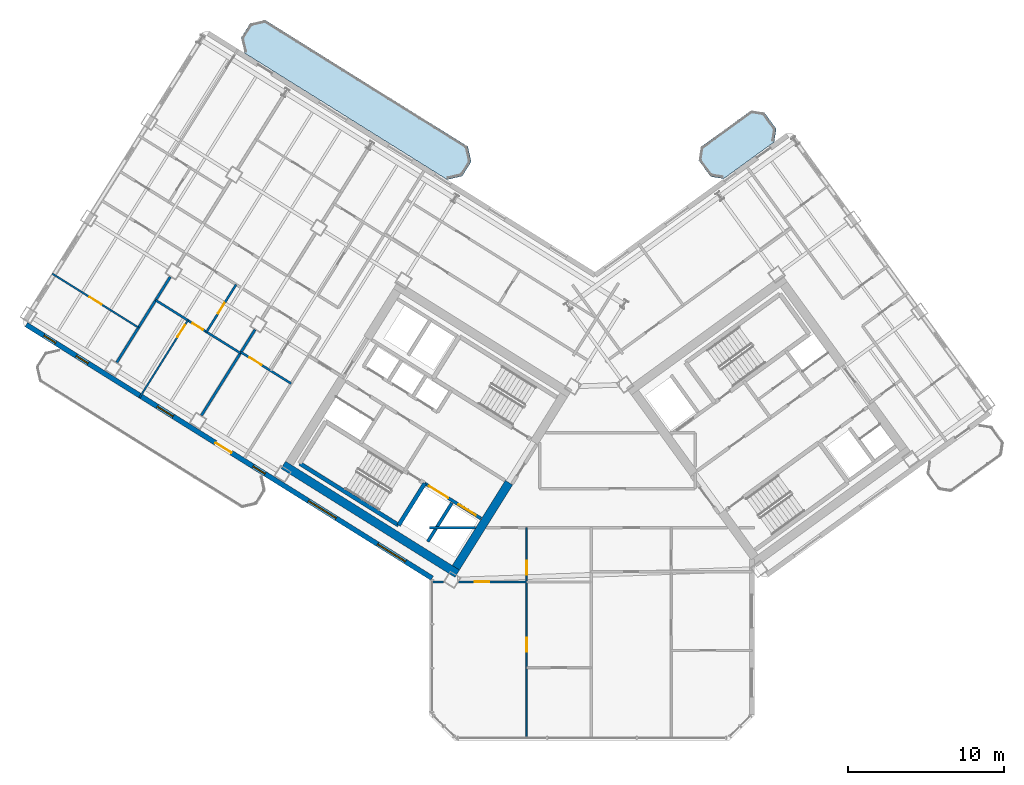
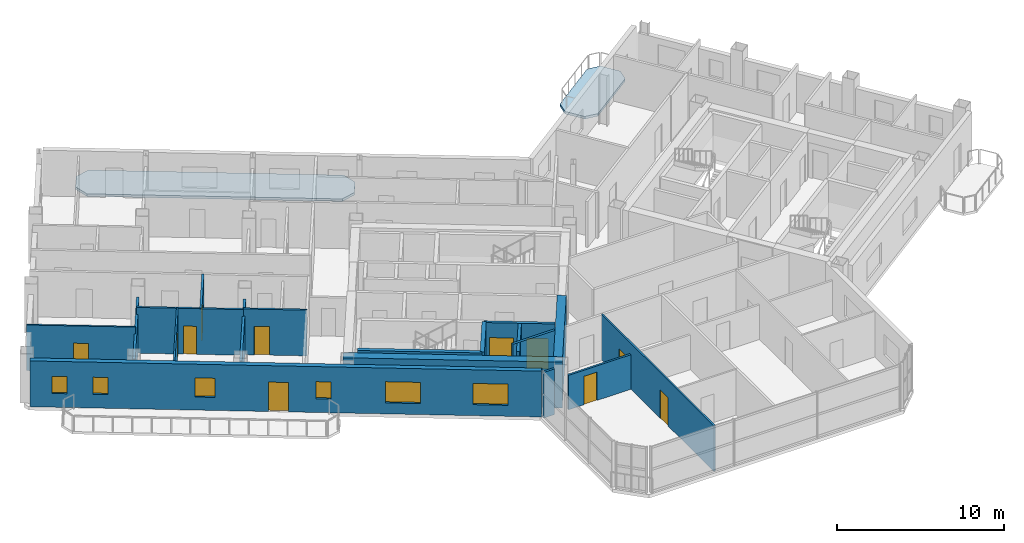
# One storey, part 11 of 20: 18 walls, 11 doors, 6 windows, 2 slabs, 17 openings.
"""IFC4 building model written with IfcOpenShell, lengths in metres."""

from ifc_helpers import new_model, si_unit, direction, frame, frame_2d, origin, place, context, subcontext, project, spatial, polyline, rectangle, outline, extrude, source, transform, mapped, material, layer, layer_set, type_object, element, fill, save


model = new_model("IFC4")

# Units and contexts
model_context = context("Model", 3, precision=1e-05, world=origin(), true_north=direction((0.0, 1.0)))
body_context = subcontext(model_context, "Body", "Model", "MODEL_VIEW")
ifc_project = project(units=[si_unit("LENGTHUNIT", "METRE"), si_unit("AREAUNIT", "SQUARE_METRE"), si_unit("VOLUMEUNIT", "CUBIC_METRE"), si_unit("PLANEANGLEUNIT", "RADIAN"), si_unit("MASSUNIT", "GRAM", prefix="KILO")], contexts=[model_context])

# Site, building, storey
site_placement = place(None, origin())
site = spatial("IfcSite", under=ifc_project, at=site_placement, CompositionType="ELEMENT")
building_placement = place(site_placement, origin())
building = spatial("IfcBuilding", under=site, at=building_placement, Name="Tlacorven Tower", CompositionType="ELEMENT")
storey_placement = place(building_placement, frame((0.0, 0.0, 187.800048828125)))
storey = spatial("IfcBuildingStorey", under=building, at=storey_placement, Name="L47", CompositionType="ELEMENT", Elevation=187.800048828125)

# Slabs
ifc_material_1 = material(Name="Precast concrete C45/55", Category="concrete")
ifc_layer_1 = layer(ifc_material_1, 0.179931640625)
ifc_layer_set_1 = layer_set([ifc_layer_1], Name="Precast concrete C45/55")
slab_type = type_object("IfcSlabType", Name="SL-BAL-180", PredefinedType="USERDEFINED", material=ifc_layer_set_1)
slab_1_placement = place(storey_placement, frame((0.0, 0.0, -0.179931640625)))
element("IfcSlab", 1, at=slab_1_placement, inside=storey, type_object=slab_type, Name="L47 West Wing Balcony Ribbon IN", ObjectType="BALCONY SLAB", PredefinedType="USERDEFINED", context=body_context, shape_type="SweptSolid", body=[
    extrude(outline(polyline([(34.0419921875, 39.835693359375), (21.06689453125, 47.943359375), (20.102294921875, 47.720703125), (19.52197265625, 46.7919921875), (19.744873046875, 45.827392578125), (32.719970703125, 37.7197265625), (33.6845703125, 37.9423828125), (34.2646484375, 38.87109375), (34.0419921875, 39.835693359375)])), origin(), (0.0, 0.0, 1.0), 0.179931640625),
])
slab_2_placement = place(storey_placement, frame((0.0, 0.0, -0.179931640625)))
element("IfcSlab", 2, at=slab_2_placement, inside=storey, type_object=slab_type, Name="L47 East Wing Balcony Ribbon IN", ObjectType="BALCONY SLAB", PredefinedType="USERDEFINED", context=body_context, shape_type="SweptSolid", body=[
    extrude(outline(polyline([(50.433837890625, 37.77880859375), (53.669921875, 40.1298828125), (53.802490234375, 40.968017578125), (53.04150390625, 42.015625), (52.203369140625, 42.1484375), (48.96728515625, 39.79736328125), (48.83447265625, 38.959228515625), (49.595703125, 37.91162109375), (50.433837890625, 37.77880859375)])), origin(), (0.0, 0.0, 1.0), 0.179931640625),
])

# Walls
ifc_material_2 = material(Name="Concrete C60/75", Category="concrete")
ifc_layer_2 = layer(ifc_material_2, 0.550048828125)
ifc_layer_set_2 = layer_set([ifc_layer_2], Name="Concrete C60/75")
wall_type_1 = type_object("IfcWallType", Name="WL-COR-550", PredefinedType="SHEAR", material=ifc_layer_set_2)
wall_1_placement = place(storey_placement, frame((33.3662109375, 12.4765625, 0.0), z_axis=(0.0, 0.0, 1.0), x_axis=(-0.848047359947, 0.529920442413, 0.0)))
element("IfcWall", 3, at=wall_1_placement, inside=storey, type_object=wall_type_1, Name="L47 W core shear wall S2", PredefinedType="SHEAR", context=body_context, shape_type="SweptSolid", body=[
    extrude(rectangle(XDim=13.139892578125, YDim=0.550048828125, at=frame_2d((6.56982421875, 0.0))), origin(), (0.0, 0.0, 1.0), 3.349853515625),
])
wall_2_placement = place(storey_placement, frame((36.683349609375, 18.30419921875, 0.0), z_axis=(0.0, 0.0, 1.0), x_axis=(-0.529896466841, -0.848062341122, 0.0)))
element("IfcWall", 4, at=wall_2_placement, inside=storey, type_object=wall_type_1, Name="L47 W core end wall E1.2", PredefinedType="SHEAR", context=body_context, shape_type="SweptSolid", body=[
    extrude(rectangle(XDim=6.4248046875, YDim=0.550048828125, at=frame_2d((3.21240234375, 0.0))), origin(), (0.0, 0.0, 1.0), 3.349853515625),
])
ifc_material_3 = material(Name="Gypsum plasterboard acoustic partition", Category="gypsum")
ifc_layer_3 = layer(ifc_material_3, 0.159912109375)
ifc_layer_set_3 = layer_set([ifc_layer_3], Name="Gypsum plasterboard acoustic partition")
wall_type_2 = type_object("IfcWallType", Name="WL-DEM-160", PredefinedType="PARTITIONING", material=ifc_layer_set_3)
wall_3_placement = place(storey_placement, frame((20.413818359375, 28.102783203125, 0.0), z_axis=(0.0, 0.0, 1.0), x_axis=(-0.529934553702, -0.848038542045, 0.0)))
element("IfcWall", 5, at=wall_3_placement, inside=storey, type_object=wall_type_2, Name="L47 WN Demising Wall 1", PredefinedType="PARTITIONING", context=body_context, shape_type="SweptSolid", body=[
    extrude(rectangle(XDim=6.47607421875, YDim=0.159912109375, at=frame_2d((3.238037109375, 0.0))), origin(), (0.0, 0.0, 1.0), 2.824951171875),
])
wall_4_placement = place(storey_placement, frame((14.986083984375, 31.494140625, 0.0), z_axis=(0.0, 0.0, 1.0), x_axis=(-0.529907440938, -0.848055484057, 0.0)))
element("IfcWall", 6, at=wall_4_placement, inside=storey, type_object=wall_type_2, Name="L47 WN Demising Wall 2", PredefinedType="PARTITIONING", context=body_context, shape_type="SweptSolid", body=[
    extrude(rectangle(XDim=6.475830078125, YDim=0.159912109375, at=frame_2d((3.23779296875, 0.0))), origin(), (0.0, 0.0, 1.0), 2.824951171875),
])
wall_5_placement = place(storey_placement, frame((31.60009765625, 15.419921875, 0.0), z_axis=(0.0, 0.0, 1.0), x_axis=(1.0, 0.0, 0.0)))
element("IfcWall", 7, at=wall_5_placement, inside=storey, type_object=wall_type_2, Name="L47 Knuckle Corridor South Wall", PredefinedType="PARTITIONING", context=body_context, shape_type="SweptSolid", body=[
    extrude(rectangle(XDim=2.925048828125, YDim=0.159912109375, at=frame_2d((1.46240234375, 0.0))), origin(), (0.0, 0.0, 1.0), 3.33984375),
])

# Wall, openings, door, windows
ifc_layer_4 = layer(ifc_material_1, 0.320068359375)
ifc_layer_set_4 = layer_set([ifc_layer_4], Name="Precast concrete C45/55")
wall_type_3 = type_object("IfcWallType", Name="WL-EXT-320", PredefinedType="STANDARD", material=ifc_layer_set_4)
wall_6_placement = place(storey_placement, frame((31.760009765625, 12.18310546875, 0.0), z_axis=(0.0, 0.0, 1.0), x_axis=(-0.848047074256, 0.529920899612, 0.0)))
wall_6 = element("IfcWall", 8, at=wall_6_placement, inside=storey, type_object=wall_type_3, Name="L47 Masonry-Frame Recessed Facade Wall 1", PredefinedType="STANDARD", context=body_context, shape_type="SweptSolid", body=[
    extrude(rectangle(XDim=30.652099609375, YDim=0.320068359375, at=frame_2d((15.326171875, 0.0))), origin(), (0.0, 0.0, 1.0), 3.349853515625),
])
opening_1_placement = place(wall_6_placement, frame((15.165771484375, 0.0, 0.0)))
opening_1 = element("IfcOpeningElement", 9, at=opening_1_placement, cuts=wall_6, Name="Opening D05", PredefinedType="OPENING", context=body_context, shape_type="SweptSolid", body=[
    extrude(rectangle(XDim=1.199951171875, YDim=2.14990234375, at=frame_2d((0.60009765625, 1.074951171875))), frame((0.0, 0.169921875, 0.0), z_axis=(0.0, -1.0, 0.0), x_axis=(1.0, 0.0, 0.0)), (0.0, 0.0, 1.0), 0.340087890625),
])
opening_2_placement = place(wall_6_placement, frame((2.0146484375, 0.0, 0.800048828125)))
opening_2 = element("IfcOpeningElement", 10, at=opening_2_placement, cuts=wall_6, Name="Opening WN04", PredefinedType="OPENING", context=body_context, shape_type="SweptSolid", body=[
    extrude(rectangle(XDim=2.10009765625, YDim=1.550048828125, at=frame_2d((1.050048828125, 0.77490234375))), frame((0.0, 0.169921875, 0.0), z_axis=(0.0, -1.0, 0.0), x_axis=(1.0, 0.0, 0.0)), (0.0, 0.0, 1.0), 0.340087890625),
])
opening_3_placement = place(wall_6_placement, frame((7.243896484375, 0.0, 0.800048828125)))
opening_3 = element("IfcOpeningElement", 11, at=opening_3_placement, cuts=wall_6, Name="Opening WN04", PredefinedType="OPENING", context=body_context, shape_type="SweptSolid", body=[
    extrude(rectangle(XDim=2.10009765625, YDim=1.550048828125, at=frame_2d((1.050048828125, 0.77490234375))), frame((0.0, 0.169921875, 0.0), z_axis=(0.0, -1.0, 0.0), x_axis=(1.0, 0.0, 0.0)), (0.0, 0.0, 1.0), 0.340087890625),
])
opening_4_placement = place(wall_6_placement, frame((12.623291015625, 0.0, 1.0)))
opening_4 = element("IfcOpeningElement", 12, at=opening_4_placement, cuts=wall_6, Name="Opening WN05", PredefinedType="OPENING", context=body_context, shape_type="SweptSolid", body=[
    extrude(rectangle(XDim=0.89990234375, YDim=1.25, at=frame_2d((0.449951171875, 0.625))), frame((0.0, 0.169921875, 0.0), z_axis=(0.0, -1.0, 0.0), x_axis=(1.0, 0.0, 0.0)), (0.0, 0.0, 1.0), 0.340087890625),
])
opening_5_placement = place(wall_6_placement, frame((19.564697265625, 0.0, 0.949951171875)))
opening_5 = element("IfcOpeningElement", 13, at=opening_5_placement, cuts=wall_6, Name="Opening WN03", PredefinedType="OPENING", context=body_context, shape_type="SweptSolid", body=[
    extrude(rectangle(XDim=1.199951171875, YDim=1.39990234375, at=frame_2d((0.60009765625, 0.699951171875))), frame((0.0, 0.169921875, 0.0), z_axis=(0.0, -1.0, 0.0), x_axis=(1.0, 0.0, 0.0)), (0.0, 0.0, 1.0), 0.340087890625),
])
opening_6_placement = place(wall_6_placement, frame((25.9833984375, 0.0, 1.0)))
opening_6 = element("IfcOpeningElement", 14, at=opening_6_placement, cuts=wall_6, Name="Opening WN05", PredefinedType="OPENING", context=body_context, shape_type="SweptSolid", body=[
    extrude(rectangle(XDim=0.89990234375, YDim=1.25, at=frame_2d((0.449951171875, 0.625))), frame((0.0, 0.169921875, 0.0), z_axis=(0.0, -1.0, 0.0), x_axis=(1.0, 0.0, 0.0)), (0.0, 0.0, 1.0), 0.340087890625),
])
opening_7_placement = place(wall_6_placement, frame((28.433349609375, 0.0, 1.0)))
opening_7 = element("IfcOpeningElement", 15, at=opening_7_placement, cuts=wall_6, Name="Opening WN05", PredefinedType="OPENING", context=body_context, shape_type="SweptSolid", body=[
    extrude(rectangle(XDim=0.89990234375, YDim=1.25, at=frame_2d((0.449951171875, 0.625))), frame((0.0, 0.169921875, 0.0), z_axis=(0.0, -1.0, 0.0), x_axis=(1.0, 0.0, 0.0)), (0.0, 0.0, 1.0), 0.340087890625),
])
ifc_material_4 = material(Name="Powder-coated aluminium and timber door", Category="wood")
door_type_1 = type_object("IfcDoorType", Name="DR-EXT-BALC-1200", OperationType="NOTDEFINED", PredefinedType="DOOR", material=ifc_material_4)
shared_shape_1 = source(origin(), body_context, "Body", "SweptSolid", [
    extrude(rectangle(XDim=1.199951171875, YDim=2.14990234375, at=frame_2d((0.60009765625, 1.074951171875))), frame((0.0, 0.02490234375, 0.0), z_axis=(0.0, -1.0, 0.0), x_axis=(1.0, 0.0, 0.0)), (0.0, 0.0, 1.0), 0.050048828125),
])
door_1_placement = place(opening_1_placement, origin())
door_1 = element("IfcDoor", 16, at=door_1_placement, inside=storey, type_object=door_type_1, Name="L47 Outdoor Access Door BAL-L47-W-OUT", OperationType="SINGLE_SWING_LEFT", OverallHeight=2.14990234375, OverallWidth=1.199951171875, PredefinedType="DOOR", context=body_context, shape_type="MappedRepresentation", body=[
    mapped(shared_shape_1, transform((0.0, 0.0, 0.0), scale=1.0)),
])
fill(opening_1, door_1)
ifc_material_5 = material(Name="Dark solar low-E double glazing in anodised aluminium frame", Category="aluminium")
window_type_1 = type_object("IfcWindowType", Name="WN-APT-2100X1750", PartitioningType="SINGLE_PANEL", PredefinedType="WINDOW", material=ifc_material_5)
shared_shape_2 = source(origin(), body_context, "Body", "SweptSolid", [
    extrude(rectangle(XDim=2.10009765625, YDim=1.550048828125, at=frame_2d((1.050048828125, 0.77490234375))), frame((0.0, 0.030029296875, 0.0), z_axis=(0.0, -1.0, 0.0), x_axis=(1.0, 0.0, 0.0)), (0.0, 0.0, 1.0), 0.06005859375),
])
window_1_placement = place(opening_2_placement, origin())
window_1 = element("IfcWindow", 17, at=window_1_placement, inside=storey, type_object=window_type_1, Name="L47 Recessed Masonry-Frame Window L47-01.1", OverallHeight=1.550048828125, OverallWidth=2.10009765625, PartitioningType="SINGLE_PANEL", PredefinedType="WINDOW", context=body_context, shape_type="MappedRepresentation", body=[
    mapped(shared_shape_2, transform((0.0, 0.0, 0.0), scale=1.0)),
])
fill(opening_2, window_1)
window_2_placement = place(opening_3_placement, origin())
window_2 = element("IfcWindow", 18, at=window_2_placement, inside=storey, type_object=window_type_1, Name="L47 Recessed Masonry-Frame Window L47-01.2", OverallHeight=1.550048828125, OverallWidth=2.10009765625, PartitioningType="SINGLE_PANEL", PredefinedType="WINDOW", context=body_context, shape_type="MappedRepresentation", body=[
    mapped(shared_shape_2, transform((0.0, 0.0, 0.0), scale=1.0)),
])
fill(opening_3, window_2)
window_type_2 = type_object("IfcWindowType", Name="WN-APT-1200X1500", PartitioningType="SINGLE_PANEL", PredefinedType="WINDOW", material=ifc_material_5)
shared_shape_3 = source(origin(), body_context, "Body", "SweptSolid", [
    extrude(rectangle(XDim=1.199951171875, YDim=1.39990234375, at=frame_2d((0.60009765625, 0.699951171875))), frame((0.0, 0.030029296875, 0.0), z_axis=(0.0, -1.0, 0.0), x_axis=(1.0, 0.0, 0.0)), (0.0, 0.0, 1.0), 0.06005859375),
])
window_3_placement = place(opening_5_placement, origin())
window_3 = element("IfcWindow", 19, at=window_3_placement, inside=storey, type_object=window_type_2, Name="L47 Recessed Masonry-Frame Window L47-01.4", OverallHeight=1.39990234375, OverallWidth=1.199951171875, PartitioningType="SINGLE_PANEL", PredefinedType="WINDOW", context=body_context, shape_type="MappedRepresentation", body=[
    mapped(shared_shape_3, transform((0.0, 0.0, 0.0), scale=1.0)),
])
fill(opening_5, window_3)
window_type_3 = type_object("IfcWindowType", Name="WN-APT-0900X1350", PartitioningType="SINGLE_PANEL", PredefinedType="WINDOW", material=ifc_material_5)
shared_shape_4 = source(origin(), body_context, "Body", "SweptSolid", [
    extrude(rectangle(XDim=0.89990234375, YDim=1.25, at=frame_2d((0.449951171875, 0.625))), frame((0.0, 0.030029296875, 0.0), z_axis=(0.0, -1.0, 0.0), x_axis=(1.0, 0.0, 0.0)), (0.0, 0.0, 1.0), 0.06005859375),
])
window_4_placement = place(opening_4_placement, origin())
window_4 = element("IfcWindow", 20, at=window_4_placement, inside=storey, type_object=window_type_3, Name="L47 Recessed Masonry-Frame Window L47-01.3", OverallHeight=1.25, OverallWidth=0.89990234375, PartitioningType="SINGLE_PANEL", PredefinedType="WINDOW", context=body_context, shape_type="MappedRepresentation", body=[
    mapped(shared_shape_4, transform((0.0, 0.0, 0.0), scale=1.0)),
])
fill(opening_4, window_4)
window_5_placement = place(opening_6_placement, origin())
window_5 = element("IfcWindow", 21, at=window_5_placement, inside=storey, type_object=window_type_3, Name="L47 Recessed Masonry-Frame Window L47-01.5", OverallHeight=1.25, OverallWidth=0.89990234375, PartitioningType="SINGLE_PANEL", PredefinedType="WINDOW", context=body_context, shape_type="MappedRepresentation", body=[
    mapped(shared_shape_4, transform((0.0, 0.0, 0.0), scale=1.0)),
])
fill(opening_6, window_5)
window_6_placement = place(opening_7_placement, origin())
window_6 = element("IfcWindow", 22, at=window_6_placement, inside=storey, type_object=window_type_3, Name="L47 Recessed Masonry-Frame Window L47-01.6", OverallHeight=1.25, OverallWidth=0.89990234375, PartitioningType="SINGLE_PANEL", PredefinedType="WINDOW", context=body_context, shape_type="MappedRepresentation", body=[
    mapped(shared_shape_4, transform((0.0, 0.0, 0.0), scale=1.0)),
])
fill(opening_7, window_6)

# Wall, opening, door
ifc_material_6 = material(Name="Gypsum plasterboard partition", Category="gypsum")
ifc_layer_5 = layer(ifc_material_6, 0.110107421875)
ifc_layer_set_5 = layer_set([ifc_layer_5], Name="Gypsum plasterboard partition")
wall_type_4 = type_object("IfcWallType", Name="WL-INT-110", PredefinedType="PARTITIONING", material=ifc_layer_set_5)
wall_7_placement = place(storey_placement, frame((16.11181640625, 28.7060546875, 0.0), z_axis=(0.0, 0.0, 1.0), x_axis=(-0.529916267533, -0.848049968695, 0.0)))
wall_7 = element("IfcWall", 23, at=wall_7_placement, inside=storey, type_object=wall_type_4, Name="L47 partition 56", PredefinedType="PARTITIONING", context=body_context, shape_type="SweptSolid", body=[
    extrude(rectangle(XDim=5.840087890625, YDim=0.110107421875, at=frame_2d((2.919921875, 0.0))), origin(), (0.0, 0.0, 1.0), 3.33984375),
])
opening_8_placement = place(wall_7_placement, frame((0.35009765625, 0.0, 0.0)))
opening_8 = element("IfcOpeningElement", 24, at=opening_8_placement, cuts=wall_7, Name="Opening D12", PredefinedType="OPENING", context=body_context, shape_type="SweptSolid", body=[
    extrude(rectangle(XDim=0.919921875, YDim=2.080078125, at=frame_2d((0.4599609375, 1.0400390625))), frame((0.0, 0.06494140625, 0.0), z_axis=(0.0, -1.0, 0.0), x_axis=(1.0, 0.0, 0.0)), (0.0, 0.0, 1.0), 0.130126953125),
])
door_type_2 = type_object("IfcDoorType", Name="DR-INT-ROOM-0920", OperationType="NOTDEFINED", PredefinedType="DOOR", material=ifc_material_4)
shared_shape_5 = source(origin(), body_context, "Body", "SweptSolid", [
    extrude(rectangle(XDim=0.919921875, YDim=2.080078125, at=frame_2d((0.4599609375, 1.0400390625))), frame((0.0, 0.02490234375, 0.0), z_axis=(0.0, -1.0, 0.0), x_axis=(1.0, 0.0, 0.0)), (0.0, 0.0, 1.0), 0.050048828125),
])
door_2_placement = place(opening_8_placement, origin())
door_2 = element("IfcDoor", 25, at=door_2_placement, inside=storey, type_object=door_type_2, Name="L47 door 025", OperationType="SINGLE_SWING_LEFT", OverallHeight=2.080078125, OverallWidth=0.919921875, PredefinedType="DOOR", context=body_context, shape_type="MappedRepresentation", body=[
    mapped(shared_shape_5, transform((0.0, 0.0, 0.0), scale=1.0)),
])
fill(opening_8, door_2)

wall_8_placement = place(storey_placement, frame((12.951416015625, 28.237548828125, 0.0), z_axis=(0.0, 0.0, 1.0), x_axis=(-0.848031959833, 0.529945086874, 0.0)))
wall_8 = element("IfcWall", 26, at=wall_8_placement, inside=storey, type_object=wall_type_4, Name="L47 partition 57", PredefinedType="PARTITIONING", context=body_context, shape_type="SweptSolid", body=[
    extrude(rectangle(XDim=6.520263671875, YDim=0.110107421875, at=frame_2d((3.26025390625, 0.0))), origin(), (0.0, 0.0, 1.0), 3.33984375),
])
opening_9_placement = place(wall_8_placement, frame((2.800048828125, 0.0, 0.0)))
opening_9 = element("IfcOpeningElement", 27, at=opening_9_placement, cuts=wall_8, Name="Opening D12", PredefinedType="OPENING", context=body_context, shape_type="SweptSolid", body=[
    extrude(rectangle(XDim=0.919921875, YDim=2.080078125, at=frame_2d((0.4599609375, 1.0400390625))), frame((0.0, 0.06494140625, 0.0), z_axis=(0.0, -1.0, 0.0), x_axis=(1.0, 0.0, 0.0)), (0.0, 0.0, 1.0), 0.130126953125),
])
door_3_placement = place(opening_9_placement, origin())
door_3 = element("IfcDoor", 28, at=door_3_placement, inside=storey, type_object=door_type_2, Name="L47 door 030", OperationType="SINGLE_SWING_RIGHT", OverallHeight=2.080078125, OverallWidth=0.919921875, PredefinedType="DOOR", context=body_context, shape_type="MappedRepresentation", body=[
    mapped(shared_shape_5, transform((0.0, 0.0, 0.0), scale=1.0)),
])
fill(opening_9, door_3)

# Wall, openings, doors
wall_9_placement = place(storey_placement, frame((37.81298828125, 1.9599609375, 0.0), z_axis=(0.0, 0.0, 1.0), x_axis=(0.0, 1.0, 0.0)))
wall_9 = element("IfcWall", 29, at=wall_9_placement, inside=storey, type_object=wall_type_4, Name="L47 partition 78", PredefinedType="PARTITIONING", context=body_context, shape_type="SweptSolid", body=[
    extrude(rectangle(XDim=13.4599609375, YDim=0.110107421875, at=frame_2d((6.72998046875, 0.0))), origin(), (0.0, 0.0, 1.0), 3.33984375),
])
opening_10_placement = place(wall_9_placement, frame((5.5, 0.0, 0.0)))
opening_10 = element("IfcOpeningElement", 30, at=opening_10_placement, cuts=wall_9, Name="Opening D12", PredefinedType="OPENING", context=body_context, shape_type="SweptSolid", body=[
    extrude(rectangle(XDim=0.919921875, YDim=2.080078125, at=frame_2d((0.4599609375, 1.0400390625))), frame((0.0, 0.06494140625, 0.0), z_axis=(0.0, -1.0, 0.0), x_axis=(1.0, 0.0, 0.0)), (0.0, 0.0, 1.0), 0.130126953125),
])
opening_11_placement = place(wall_9_placement, frame((10.449951171875, 0.0, 0.0)))
opening_11 = element("IfcOpeningElement", 31, at=opening_11_placement, cuts=wall_9, Name="Opening D13", PredefinedType="OPENING", context=body_context, shape_type="SweptSolid", body=[
    extrude(rectangle(XDim=0.8798828125, YDim=2.080078125, at=frame_2d((0.43994140625, 1.0400390625))), frame((0.0, 0.06494140625, 0.0), z_axis=(0.0, -1.0, 0.0), x_axis=(1.0, 0.0, 0.0)), (0.0, 0.0, 1.0), 0.130126953125),
])
door_type_3 = type_object("IfcDoorType", Name="DR-INT-WET-0880", OperationType="NOTDEFINED", PredefinedType="DOOR", material=ifc_material_4)
shared_shape_6 = source(origin(), body_context, "Body", "SweptSolid", [
    extrude(rectangle(XDim=0.8798828125, YDim=2.080078125, at=frame_2d((0.43994140625, 1.0400390625))), frame((0.0, 0.02490234375, 0.0), z_axis=(0.0, -1.0, 0.0), x_axis=(1.0, 0.0, 0.0)), (0.0, 0.0, 1.0), 0.050048828125),
])
door_4_placement = place(opening_11_placement, origin())
door_4 = element("IfcDoor", 32, at=door_4_placement, inside=storey, type_object=door_type_3, Name="L47 door 050", OperationType="SINGLE_SWING_RIGHT", OverallHeight=2.080078125, OverallWidth=0.8798828125, PredefinedType="DOOR", context=body_context, shape_type="MappedRepresentation", body=[
    mapped(shared_shape_6, transform((0.0, 0.0, 0.0), scale=1.0)),
])
fill(opening_11, door_4)
door_5_placement = place(opening_10_placement, origin())
door_5 = element("IfcDoor", 33, at=door_5_placement, inside=storey, type_object=door_type_2, Name="L47 door 046", OperationType="SINGLE_SWING_RIGHT", OverallHeight=2.080078125, OverallWidth=0.919921875, PredefinedType="DOOR", context=body_context, shape_type="MappedRepresentation", body=[
    mapped(shared_shape_5, transform((0.0, 0.0, 0.0), scale=1.0)),
])
fill(opening_10, door_5)

# Wall, opening, door
ifc_material_7 = material(Name="Moisture-resistant gypsum plumbing wall", Category="gypsum")
ifc_layer_6 = layer(ifc_material_7, 0.139892578125)
ifc_layer_set_6 = layer_set([ifc_layer_6], Name="Moisture-resistant gypsum plumbing wall")
wall_type_5 = type_object("IfcWallType", Name="WL-PLM-140", PredefinedType="PLUMBINGWALL", material=ifc_layer_set_6)
wall_10_placement = place(storey_placement, frame((22.72802734375, 24.654296875, 0.0), z_axis=(0.0, 0.0, 1.0), x_axis=(-0.848059820872, 0.529900500304, 0.0)))
wall_10 = element("IfcWall", 34, at=wall_10_placement, inside=storey, type_object=wall_type_5, Name="L47 partition 51", PredefinedType="PLUMBINGWALL", context=body_context, shape_type="SweptSolid", body=[
    extrude(rectangle(XDim=3.7900390625, YDim=0.139892578125, at=frame_2d((1.89501953125, 0.0))), origin(), (0.0, 0.0, 1.0), 3.33984375),
])
opening_12_placement = place(wall_10_placement, frame((2.22998046875, 0.0, 0.0)))
opening_12 = element("IfcOpeningElement", 35, at=opening_12_placement, cuts=wall_10, Name="Opening D12", PredefinedType="OPENING", context=body_context, shape_type="SweptSolid", body=[
    extrude(rectangle(XDim=0.919921875, YDim=2.080078125, at=frame_2d((0.4599609375, 1.0400390625))), frame((0.0, 0.080078125, 0.0), z_axis=(0.0, -1.0, 0.0), x_axis=(1.0, 0.0, 0.0)), (0.0, 0.0, 1.0), 0.159912109375),
])
door_6_placement = place(opening_12_placement, origin())
door_6 = element("IfcDoor", 36, at=door_6_placement, inside=storey, type_object=door_type_2, Name="L47 door 023", OperationType="SINGLE_SWING_LEFT", OverallHeight=2.080078125, OverallWidth=0.919921875, PredefinedType="DOOR", context=body_context, shape_type="MappedRepresentation", body=[
    mapped(shared_shape_5, transform((0.0, 0.0, 0.0), scale=1.0)),
])
fill(opening_12, door_6)

wall_11_placement = place(storey_placement, frame((19.476806640625, 26.603271484375, 0.0), z_axis=(0.0, 0.0, 1.0), x_axis=(-0.848039019877, 0.529933789039, 0.0)))
wall_11 = element("IfcWall", 37, at=wall_11_placement, inside=storey, type_object=wall_type_5, Name="L47 partition 54", PredefinedType="PLUMBINGWALL", context=body_context, shape_type="SweptSolid", body=[
    extrude(rectangle(XDim=6.400146484375, YDim=0.139892578125, at=frame_2d((3.2001953125, 0.0))), origin(), (0.0, 0.0, 1.0), 3.33984375),
])
opening_13_placement = place(wall_11_placement, frame((2.823974609375, 0.0, 0.0)))
opening_13 = element("IfcOpeningElement", 38, at=opening_13_placement, cuts=wall_11, Name="Opening D22", PredefinedType="OPENING", context=body_context, shape_type="SweptSolid", body=[
    extrude(rectangle(XDim=0.780029296875, YDim=2.050048828125, at=frame_2d((0.39013671875, 1.02490234375))), frame((0.0, 0.080078125, 0.0), z_axis=(0.0, -1.0, 0.0), x_axis=(1.0, 0.0, 0.0)), (0.0, 0.0, 1.0), 0.159912109375),
])
door_type_4 = type_object("IfcDoorType", Name="DR-INT-WET-0780", OperationType="NOTDEFINED", PredefinedType="DOOR", material=ifc_material_4)
shared_shape_7 = source(origin(), body_context, "Body", "SweptSolid", [
    extrude(rectangle(XDim=0.780029296875, YDim=2.050048828125, at=frame_2d((0.39013671875, 1.02490234375))), frame((0.0, 0.02490234375, 0.0), z_axis=(0.0, -1.0, 0.0), x_axis=(1.0, 0.0, 0.0)), (0.0, 0.0, 1.0), 0.050048828125),
])
door_7_placement = place(opening_13_placement, origin())
door_7 = element("IfcDoor", 39, at=door_7_placement, inside=storey, type_object=door_type_4, Name="L47 door 027", OperationType="SINGLE_SWING_LEFT", OverallHeight=2.050048828125, OverallWidth=0.780029296875, PredefinedType="DOOR", context=body_context, shape_type="MappedRepresentation", body=[
    mapped(shared_shape_7, transform((0.0, 0.0, 0.0), scale=1.0)),
])
fill(opening_13, door_7)

wall_12_placement = place(storey_placement, frame((19.202880859375, 30.995849609375, 0.0), z_axis=(0.0, 0.0, 1.0), x_axis=(-0.529906983049, -0.848055770169, 0.0)))
wall_12 = element("IfcWall", 40, at=wall_12_placement, inside=storey, type_object=wall_type_5, Name="L47 partition 55", PredefinedType="PLUMBINGWALL", context=body_context, shape_type="SweptSolid", body=[
    extrude(rectangle(XDim=3.579833984375, YDim=0.139892578125, at=frame_2d((1.7900390625, 0.0))), origin(), (0.0, 0.0, 1.0), 3.33984375),
])
opening_14_placement = place(wall_12_placement, frame((1.39990234375, 0.0, 0.0)))
opening_14 = element("IfcOpeningElement", 41, at=opening_14_placement, cuts=wall_12, Name="Opening D22", PredefinedType="OPENING", context=body_context, shape_type="SweptSolid", body=[
    extrude(rectangle(XDim=0.780029296875, YDim=2.050048828125, at=frame_2d((0.39013671875, 1.02490234375))), frame((0.0, 0.080078125, 0.0), z_axis=(0.0, -1.0, 0.0), x_axis=(1.0, 0.0, 0.0)), (0.0, 0.0, 1.0), 0.159912109375),
])
door_8_placement = place(opening_14_placement, origin())
door_8 = element("IfcDoor", 42, at=door_8_placement, inside=storey, type_object=door_type_4, Name="L47 door 028", OperationType="SINGLE_SWING_RIGHT", OverallHeight=2.050048828125, OverallWidth=0.780029296875, PredefinedType="DOOR", context=body_context, shape_type="MappedRepresentation", body=[
    mapped(shared_shape_7, transform((0.0, 0.0, 0.0), scale=1.0)),
])
fill(opening_14, door_8)

# Wall
wall_13_placement = place(storey_placement, frame((31.739990234375, 11.949951171875, 0.0), z_axis=(0.0, 0.0, 1.0), x_axis=(1.0, 0.0, 0.0)))
element("IfcWall", 43, at=wall_13_placement, inside=storey, type_object=wall_type_5, Name="L47 partition 79", PredefinedType="PLUMBINGWALL", context=body_context, shape_type="SweptSolid", body=[
    extrude(rectangle(XDim=0.747802734375, YDim=0.139892578125, at=frame_2d((0.3740234375, 0.0))), origin(), (0.0, 0.0, 1.0), 3.33984375),
])

# Wall, opening, door
wall_14_placement = place(storey_placement, frame((33.446533203125, 11.949951171875, 0.0), z_axis=(0.0, 0.0, 1.0), x_axis=(1.0, 0.0, 0.0)))
wall_14 = element("IfcWall", 44, at=wall_14_placement, inside=storey, type_object=wall_type_5, Name="L47 partition 79", PredefinedType="PLUMBINGWALL", context=body_context, shape_type="SweptSolid", body=[
    extrude(rectangle(XDim=4.366455078125, YDim=0.139892578125, at=frame_2d((2.18310546875, 0.0))), origin(), (0.0, 0.0, 1.0), 2.52490234375),
])
opening_15_placement = place(wall_14_placement, frame((1.050048828125, 0.0, 0.0)))
opening_15 = element("IfcOpeningElement", 45, at=opening_15_placement, cuts=wall_14, Name="Opening D12", PredefinedType="OPENING", context=body_context, shape_type="SweptSolid", body=[
    extrude(rectangle(XDim=0.919921875, YDim=2.080078125, at=frame_2d((0.4599609375, 1.0400390625))), frame((0.0, 0.080078125, 0.0), z_axis=(0.0, -1.0, 0.0), x_axis=(1.0, 0.0, 0.0)), (0.0, 0.0, 1.0), 0.159912109375),
])
door_9_placement = place(opening_15_placement, frame((0.919921875, 0.0, 0.0), z_axis=(0.0, 0.0, 1.0), x_axis=(-1.0, 0.0, 0.0)))
door_9 = element("IfcDoor", 46, at=door_9_placement, inside=storey, type_object=door_type_2, Name="L47 door 049", OperationType="SINGLE_SWING_LEFT", OverallHeight=2.080078125, OverallWidth=0.919921875, PredefinedType="DOOR", context=body_context, shape_type="MappedRepresentation", body=[
    mapped(shared_shape_5, transform((0.0, 0.0, 0.0), scale=1.0)),
])
fill(opening_15, door_9)

# Wall, openings, doors
ifc_material_8 = material(Name="Concrete C40/50", Category="concrete")
ifc_layer_7 = layer(ifc_material_8, 0.199951171875)
ifc_layer_set_7 = layer_set([ifc_layer_7], Name="Concrete C40/50")
wall_type_6 = type_object("IfcWallType", Name="WL-SHF-200", PredefinedType="STANDARD", material=ifc_layer_set_7)
wall_15_placement = place(storey_placement, frame((34.890625, 16.0048828125, 0.0), z_axis=(0.0, 0.0, 1.0), x_axis=(-0.848062873452, 0.529895614884, 0.0)))
wall_15 = element("IfcWall", 47, at=wall_15_placement, inside=storey, type_object=wall_type_6, Name="L47 Core W Firefighting Lift Shaft Front Wall", PredefinedType="STANDARD", context=body_context, shape_type="SweptSolid", body=[
    extrude(rectangle(XDim=4.248046875, YDim=0.199951171875, at=frame_2d((2.1240234375, 0.0))), origin(), (0.0, 0.0, 1.0), 3.33984375),
])
opening_16_placement = place(wall_15_placement, frame((0.39794921875, 0.0, 0.0)))
opening_16 = element("IfcOpeningElement", 48, at=opening_16_placement, cuts=wall_15, Name="Opening LD03", PredefinedType="OPENING", context=body_context, shape_type="SweptSolid", body=[
    extrude(rectangle(XDim=1.300048828125, YDim=2.199951171875, at=frame_2d((0.64990234375, 1.10009765625))), frame((0.0, 0.10986328125, 0.0), z_axis=(0.0, -1.0, 0.0), x_axis=(1.0, 0.0, 0.0)), (0.0, 0.0, 1.0), 0.219970703125),
])
opening_17_placement = place(wall_15_placement, frame((2.472900390625, 0.0, 0.0)))
opening_17 = element("IfcOpeningElement", 49, at=opening_17_placement, cuts=wall_15, Name="Opening LD04", PredefinedType="OPENING", context=body_context, shape_type="SweptSolid", body=[
    extrude(rectangle(XDim=1.449951171875, YDim=2.25, at=frame_2d((0.72509765625, 1.125))), frame((0.0, 0.10986328125, 0.0), z_axis=(0.0, -1.0, 0.0), x_axis=(1.0, 0.0, 0.0)), (0.0, 0.0, 1.0), 0.219970703125),
])
ifc_material_9 = material(Name="Fire-rated steel door assembly", Category="steel")
door_type_5 = type_object("IfcDoorType", Name="DR-LFT-SLID-1300", OperationType="DOUBLE_DOOR_SLIDING", PredefinedType="DOOR", material=ifc_material_9)
shared_shape_8 = source(origin(), body_context, "Body", "SweptSolid", [
    extrude(rectangle(XDim=1.300048828125, YDim=2.199951171875, at=frame_2d((0.64990234375, 1.10009765625))), frame((0.0, 0.02490234375, 0.0), z_axis=(0.0, -1.0, 0.0), x_axis=(1.0, 0.0, 0.0)), (0.0, 0.0, 1.0), 0.050048828125),
])
door_10_placement = place(opening_16_placement, origin())
door_10 = element("IfcDoor", 50, at=door_10_placement, inside=storey, type_object=door_type_5, Name="L47 Lift FFL-W1 Sliding Landing Door", OperationType="DOUBLE_DOOR_SLIDING", OverallHeight=2.199951171875, OverallWidth=1.300048828125, PredefinedType="DOOR", context=body_context, shape_type="MappedRepresentation", body=[
    mapped(shared_shape_8, transform((0.0, 0.0, 0.0), scale=1.0)),
])
fill(opening_16, door_10)
door_type_6 = type_object("IfcDoorType", Name="DR-LFT-SLID-1450", OperationType="DOUBLE_DOOR_SLIDING", PredefinedType="DOOR", material=ifc_material_9)
shared_shape_9 = source(origin(), body_context, "Body", "SweptSolid", [
    extrude(rectangle(XDim=1.449951171875, YDim=2.25, at=frame_2d((0.72509765625, 1.125))), frame((0.0, 0.02490234375, 0.0), z_axis=(0.0, -1.0, 0.0), x_axis=(1.0, 0.0, 0.0)), (0.0, 0.0, 1.0), 0.050048828125),
])
door_11_placement = place(opening_17_placement, origin())
door_11 = element("IfcDoor", 51, at=door_11_placement, inside=storey, type_object=door_type_6, Name="L47 Lift SVL-W1 Sliding Landing Door", OperationType="DOUBLE_DOOR_SLIDING", OverallHeight=2.25, OverallWidth=1.449951171875, PredefinedType="DOOR", context=body_context, shape_type="MappedRepresentation", body=[
    mapped(shared_shape_9, transform((0.0, 0.0, 0.0), scale=1.0)),
])
fill(opening_17, door_11)

# Walls
wall_16_placement = place(storey_placement, frame((33.02880859375, 17.003173828125, 0.0), z_axis=(0.0, 0.0, 1.0), x_axis=(-0.529916267533, -0.848049968695, 0.0)))
element("IfcWall", 52, at=wall_16_placement, inside=storey, type_object=wall_type_6, Name="L47 partition 14", PredefinedType="STANDARD", context=body_context, shape_type="SweptSolid", body=[
    extrude(rectangle(XDim=2.919921875, YDim=0.199951171875, at=frame_2d((1.4599609375, 0.0))), origin(), (0.0, 0.0, 1.0), 3.33984375),
])
ifc_material_10 = material(Name="Concrete C50/60", Category="concrete")
ifc_layer_8 = layer(ifc_material_10, 0.260009765625)
ifc_layer_set_8 = layer_set([ifc_layer_8], Name="Concrete C50/60")
wall_type_7 = type_object("IfcWallType", Name="WL-STW-260", PredefinedType="SHEAR", material=ifc_layer_set_8)
wall_17_placement = place(storey_placement, frame((29.60498046875, 15.581298828125, 0.0), z_axis=(0.0, 0.0, 1.0), x_axis=(-0.848036911448, 0.529937163087, 0.0)))
element("IfcWall", 53, at=wall_17_placement, inside=storey, type_object=wall_type_7, Name="L47 Stair W1 Far Shear Wall", PredefinedType="SHEAR", context=body_context, shape_type="SweptSolid", body=[
    extrude(rectangle(XDim=7.4599609375, YDim=0.260009765625, at=frame_2d((3.72998046875, 0.0))), origin(), (0.0, 0.0, 1.0), 3.349853515625),
])
wall_18_placement = place(storey_placement, frame((31.2880859375, 18.255859375, 0.0), z_axis=(0.0, 0.0, 1.0), x_axis=(-0.529943379326, -0.848033026897, 0.0)))
element("IfcWall", 54, at=wall_18_placement, inside=storey, type_object=wall_type_7, Name="L47 Stair W1 West Shear Wall", PredefinedType="SHEAR", context=body_context, shape_type="SweptSolid", body=[
    extrude(rectangle(XDim=3.159912109375, YDim=0.260009765625, at=frame_2d((1.580078125, 0.0))), origin(), (0.0, 0.0, 1.0), 3.349853515625),
])

save(model, "model.ifc")
